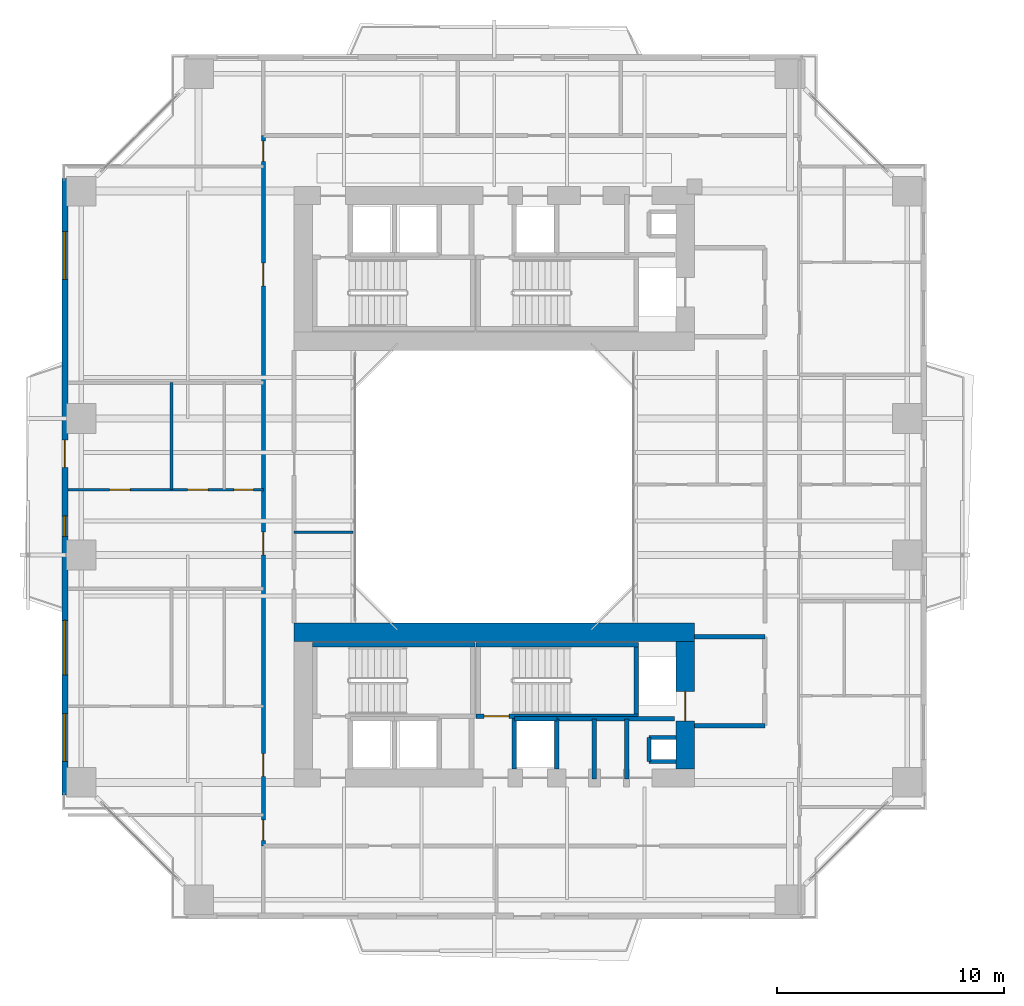
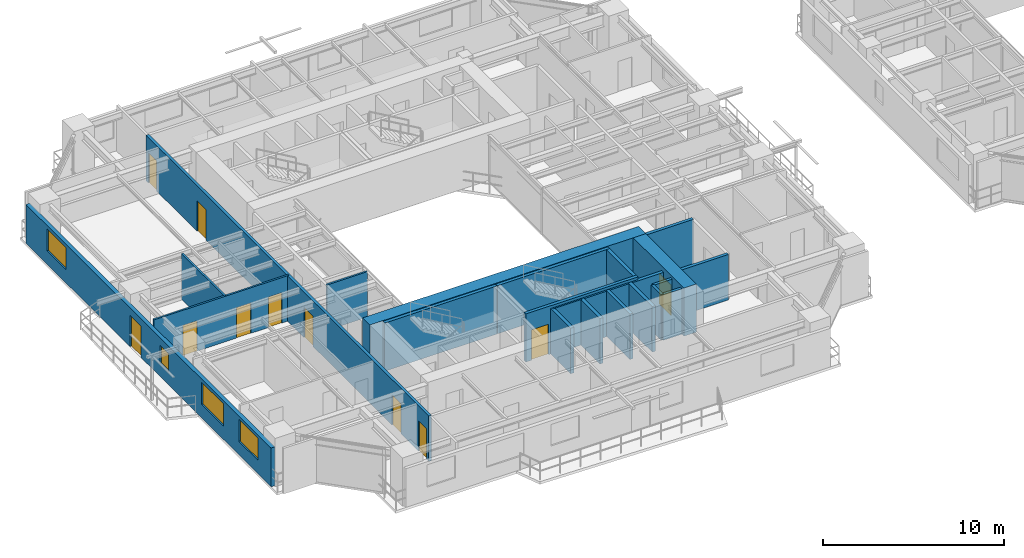
# One storey, part 13 of 24: 22 walls, 11 doors, 4 windows, 15 openings.
"""IFC4 building model written with IfcOpenShell, lengths in metres."""

from ifc_helpers import new_model, si_unit, direction, frame, frame_2d, origin, place, context, subcontext, project, spatial, rectangle, extrude, source, transform, mapped, material, layer, layer_set, type_object, element, fill, save


model = new_model("IFC4")

# Units and contexts
model_context = context("Model", 3, precision=1e-05, world=origin(), true_north=direction((0.0, 1.0)))
body_context = subcontext(model_context, "Body", "Model", "MODEL_VIEW")
ifc_project = project(units=[si_unit("LENGTHUNIT", "METRE"), si_unit("AREAUNIT", "SQUARE_METRE"), si_unit("VOLUMEUNIT", "CUBIC_METRE"), si_unit("PLANEANGLEUNIT", "RADIAN"), si_unit("MASSUNIT", "GRAM", prefix="KILO"), si_unit("THERMODYNAMICTEMPERATUREUNIT", "KELVIN"), si_unit("POWERUNIT", "WATT")], contexts=[model_context])

# Site, building, storey
site_placement = place(None, origin())
site = spatial("IfcSite", under=ifc_project, at=site_placement, CompositionType="ELEMENT")
building_placement = place(site_placement, origin())
building = spatial("IfcBuilding", under=site, at=building_placement, Name="Qiaomeng Ring Towers", CompositionType="ELEMENT")
storey_placement = place(building_placement, frame((0.0, 0.0, 36.0)))
storey = spatial("IfcBuildingStorey", under=building, at=storey_placement, Name="L09", CompositionType="ELEMENT", Elevation=36.0)

# Wall, openings, windows, door
ifc_material_1 = material(Name="Precast concrete C40", Category="concrete")
ifc_layer_1 = layer(ifc_material_1, 0.25, Name="Precast concrete C40")
ifc_layer_set_1 = layer_set([ifc_layer_1], Name="Precast concrete C40")
wall_type_1 = type_object("IfcWallType", Name="ARC-WL-EW1", PredefinedType="STANDARD", material=ifc_layer_set_1)
wall_1_placement = place(storey_placement, frame((0.125, 9.449951171875, 0.0), z_axis=(0.0, 0.0, 1.0), x_axis=(0.0, 1.0, 0.0)))
wall_1 = element("IfcWall", 1, at=wall_1_placement, inside=storey, type_object=wall_type_1, Name="L09 Tower 1 W Exterior Wall", PredefinedType="STANDARD", context=body_context, shape_type="SweptSolid", body=[
    extrude(rectangle(XDim=27.10009765625, YDim=0.25, at=frame_2d((13.550048828125, 0.0))), origin(), (0.0, 0.0, 1.0), 2.610107421875),
])
opening_1_placement = place(wall_1_placement, frame((14.39990234375, 0.0, 0.0)))
opening_1 = element("IfcOpeningElement", 2, at=opening_1_placement, cuts=wall_1, Name="Opening BD1", PredefinedType="OPENING", context=body_context, shape_type="SweptSolid", body=[
    extrude(rectangle(XDim=1.199951171875, YDim=2.10009765625, at=frame_2d((0.60009765625, 1.050048828125))), frame((0.0, 0.135009765625, 0.0), z_axis=(0.0, -1.0, 0.0), x_axis=(1.0, 0.0, 0.0)), (0.0, 0.0, 1.0), 0.27001953125),
])
opening_2_placement = place(wall_1_placement, frame((1.472412109375, 0.0, 0.89990234375)))
opening_2 = element("IfcOpeningElement", 3, at=opening_2_placement, cuts=wall_1, Name="Opening WN4", PredefinedType="OPENING", context=body_context, shape_type="SweptSolid", body=[
    extrude(rectangle(XDim=2.10009765625, YDim=1.5, at=frame_2d((1.050048828125, 0.75))), frame((0.0, 0.135009765625, 0.0), z_axis=(0.0, -1.0, 0.0), x_axis=(1.0, 0.0, 0.0)), (0.0, 0.0, 1.0), 0.27001953125),
])
opening_3_placement = place(wall_1_placement, frame((22.6630859375, 0.0, 0.89990234375)))
opening_3 = element("IfcOpeningElement", 4, at=opening_3_placement, cuts=wall_1, Name="Opening WN4", PredefinedType="OPENING", context=body_context, shape_type="SweptSolid", body=[
    extrude(rectangle(XDim=2.10009765625, YDim=1.47998046875, at=frame_2d((1.050048828125, 0.739990234375))), frame((0.0, 0.135009765625, 0.0), z_axis=(0.0, -1.0, 0.0), x_axis=(1.0, 0.0, 0.0)), (0.0, 0.0, 1.0), 0.27001953125),
])
opening_4_placement = place(wall_1_placement, frame((5.277587890625, 0.0, 0.89990234375)))
opening_4 = element("IfcOpeningElement", 5, at=opening_4_placement, cuts=wall_1, Name="Opening WN6", PredefinedType="OPENING", context=body_context, shape_type="SweptSolid", body=[
    extrude(rectangle(XDim=2.39990234375, YDim=1.5, at=frame_2d((1.199951171875, 0.75))), frame((0.0, 0.135009765625, 0.0), z_axis=(0.0, -1.0, 0.0), x_axis=(1.0, 0.0, 0.0)), (0.0, 0.0, 1.0), 0.27001953125),
])
opening_5_placement = place(wall_1_placement, frame((11.364990234375, 0.0, 0.89990234375)))
opening_5 = element("IfcOpeningElement", 6, at=opening_5_placement, cuts=wall_1, Name="Opening WN5", PredefinedType="OPENING", context=body_context, shape_type="SweptSolid", body=[
    extrude(rectangle(XDim=0.89990234375, YDim=1.199951171875, at=frame_2d((0.449951171875, 0.60009765625))), frame((0.0, 0.135009765625, 0.0), z_axis=(0.0, -1.0, 0.0), x_axis=(1.0, 0.0, 0.0)), (0.0, 0.0, 1.0), 0.27001953125),
])
ifc_material_2 = material(Name="Low-E dark-grey laminated double glazing", Category="glass")
window_type_1 = type_object("IfcWindowType", Name="ARC-WN-4", PartitioningType="TRIPLE_PANEL_VERTICAL", PredefinedType="WINDOW", material=ifc_material_2)
shared_shape_1 = source(origin(), body_context, "Body", "SweptSolid", [
    extrude(rectangle(XDim=2.10009765625, YDim=1.47998046875, at=frame_2d((1.050048828125, 0.739990234375))), frame((0.0, 0.030029296875, 0.0), z_axis=(0.0, -1.0, 0.0), x_axis=(1.0, 0.0, 0.0)), (0.0, 0.0, 1.0), 0.06005859375),
])
window_1_placement = place(opening_3_placement, origin())
window_1 = element("IfcWindow", 7, at=window_1_placement, inside=storey, type_object=window_type_1, Name="L09 Exterior Window WN4", OverallHeight=1.47998046875, OverallWidth=2.10009765625, PartitioningType="TRIPLE_PANEL_VERTICAL", PredefinedType="WINDOW", context=body_context, shape_type="MappedRepresentation", body=[
    mapped(shared_shape_1, transform((0.0, 0.0, 0.0), x_axis=(1.0, 0.0, 0.0), y_axis=(0.0, 1.0, 0.0), z_axis=(0.0, 0.0, 1.0), scale=1.0)),
])
fill(opening_3, window_1)
shared_shape_2 = source(origin(), body_context, "Body", "SweptSolid", [
    extrude(rectangle(XDim=2.10009765625, YDim=1.5, at=frame_2d((1.050048828125, 0.75))), frame((0.0, 0.030029296875, 0.0), z_axis=(0.0, -1.0, 0.0), x_axis=(1.0, 0.0, 0.0)), (0.0, 0.0, 1.0), 0.06005859375),
])
window_2_placement = place(opening_2_placement, origin())
window_2 = element("IfcWindow", 8, at=window_2_placement, inside=storey, type_object=window_type_1, Name="L09 Exterior Window WN6", OverallHeight=1.5, OverallWidth=2.10009765625, PartitioningType="TRIPLE_PANEL_VERTICAL", PredefinedType="WINDOW", context=body_context, shape_type="MappedRepresentation", body=[
    mapped(shared_shape_2, transform((0.0, 0.0, 0.0), x_axis=(1.0, 0.0, 0.0), y_axis=(0.0, 1.0, 0.0), z_axis=(0.0, 0.0, 1.0), scale=1.0)),
])
fill(opening_2, window_2)
door_type_1 = type_object("IfcDoorType", Name="ARC-DR-BD1", OperationType="NOTDEFINED", PredefinedType="DOOR", material=ifc_material_2)
shared_shape_3 = source(origin(), body_context, "Body", "SweptSolid", [
    extrude(rectangle(XDim=1.199951171875, YDim=2.10009765625, at=frame_2d((0.60009765625, 1.050048828125))), frame((0.0, 0.02490234375, 0.0), z_axis=(0.0, -1.0, 0.0), x_axis=(1.0, 0.0, 0.0)), (0.0, 0.0, 1.0), 0.050048828125),
])
door_1_placement = place(opening_1_placement, frame((1.199951171875, 0.0, 0.0), z_axis=(0.0, 0.0, 1.0), x_axis=(-1.0, 0.0, 0.0)))
door_1 = element("IfcDoor", 9, at=door_1_placement, inside=storey, type_object=door_type_1, Name="L09 W Balcony Glazed Door", OperationType="SINGLE_SWING_LEFT", OverallHeight=2.10009765625, OverallWidth=1.199951171875, PredefinedType="DOOR", context=body_context, shape_type="MappedRepresentation", body=[
    mapped(shared_shape_3, transform((0.0, 0.0, 0.0), x_axis=(1.0, 0.0, 0.0), y_axis=(0.0, 1.0, 0.0), z_axis=(0.0, 0.0, 1.0), scale=1.0)),
])
fill(opening_1, door_1)
window_type_2 = type_object("IfcWindowType", Name="ARC-WN-6", PartitioningType="TRIPLE_PANEL_VERTICAL", PredefinedType="WINDOW", material=ifc_material_2)
shared_shape_4 = source(origin(), body_context, "Body", "SweptSolid", [
    extrude(rectangle(XDim=2.39990234375, YDim=1.5, at=frame_2d((1.199951171875, 0.75))), frame((0.0, 0.030029296875, 0.0), z_axis=(0.0, -1.0, 0.0), x_axis=(1.0, 0.0, 0.0)), (0.0, 0.0, 1.0), 0.06005859375),
])
window_3_placement = place(opening_4_placement, origin())
window_3 = element("IfcWindow", 10, at=window_3_placement, inside=storey, type_object=window_type_2, Name="L09 Exterior Window WN6", OverallHeight=1.5, OverallWidth=2.39990234375, PartitioningType="TRIPLE_PANEL_VERTICAL", PredefinedType="WINDOW", context=body_context, shape_type="MappedRepresentation", body=[
    mapped(shared_shape_4, transform((0.0, 0.0, 0.0), x_axis=(1.0, 0.0, 0.0), y_axis=(0.0, 1.0, 0.0), z_axis=(0.0, 0.0, 1.0), scale=1.0)),
])
fill(opening_4, window_3)
window_type_3 = type_object("IfcWindowType", Name="ARC-WN-5", PartitioningType="SINGLE_PANEL", PredefinedType="WINDOW", material=ifc_material_2)
shared_shape_5 = source(origin(), body_context, "Body", "SweptSolid", [
    extrude(rectangle(XDim=0.89990234375, YDim=1.199951171875, at=frame_2d((0.449951171875, 0.60009765625))), frame((0.0, 0.030029296875, 0.0), z_axis=(0.0, -1.0, 0.0), x_axis=(1.0, 0.0, 0.0)), (0.0, 0.0, 1.0), 0.06005859375),
])
window_4_placement = place(opening_5_placement, origin())
window_4 = element("IfcWindow", 11, at=window_4_placement, inside=storey, type_object=window_type_3, Name="L09 Exterior Window WN5", OverallHeight=1.199951171875, OverallWidth=0.89990234375, PartitioningType="SINGLE_PANEL", PredefinedType="WINDOW", context=body_context, shape_type="MappedRepresentation", body=[
    mapped(shared_shape_5, transform((0.0, 0.0, 0.0), x_axis=(1.0, 0.0, 0.0), y_axis=(0.0, 1.0, 0.0), z_axis=(0.0, 0.0, 1.0), scale=1.0)),
])
fill(opening_5, window_4)

# Walls
ifc_material_3 = material(Name="Autoclaved aerated concrete block", Category="concrete")
ifc_layer_2 = layer(ifc_material_3, 0.199951171875, Name="Autoclaved aerated concrete block")
ifc_layer_set_2 = layer_set([ifc_layer_2], Name="Autoclaved aerated concrete block")
wall_type_2 = type_object("IfcWallType", Name="ARC-WL-PW1", PredefinedType="PARTITIONING", material=ifc_layer_set_2)
for number, where, z_axis, x_axis, name in (
    (12, (27.800048828125, 16.39990234375, 0.0), (0.0, 0.0, 1.0), (1.0, 0.0, 0.0), "L09 Interior Wall PW1"),
    (13, (27.800048828125, 12.5, 0.0), (0.0, 0.0, 1.0), (1.0, 0.0, 0.0), "L09 Interior Wall PW1"),
):
    element("IfcWall", number, at=place(storey_placement, frame(where, z_axis=z_axis, x_axis=x_axis)), inside=storey, type_object=wall_type_2, Name=name, PredefinedType="PARTITIONING", context=body_context, shape_type="SweptSolid", body=[
        extrude(rectangle(XDim=3.099853515625, YDim=0.199951171875, at=frame_2d((1.5498046875, 0.0))), origin(), (0.0, 0.0, 1.0), 3.070068359375),
    ])
wall_2_placement = place(storey_placement, frame((19.8798828125, 10.60009765625, 0.0), z_axis=(0.0, 0.0, 1.0), x_axis=(0.0, 1.0, 0.0)))
element("IfcWall", 14, at=wall_2_placement, inside=storey, type_object=wall_type_2, Name="L09 Interior Wall PW1", PredefinedType="PARTITIONING", context=body_context, shape_type="SweptSolid", body=[
    extrude(rectangle(XDim=2.2099609375, YDim=0.199951171875, at=frame_2d((1.10498046875, 0.0))), origin(), (0.0, 0.0, 1.0), 3.070068359375),
])
wall_3_placement = place(storey_placement, frame((24.820068359375, 10.14990234375, 0.0), z_axis=(0.0, 0.0, 1.0), x_axis=(0.0, 1.0, 0.0)))
element("IfcWall", 15, at=wall_3_placement, inside=storey, type_object=wall_type_2, Name="L09 Interior Wall PW1", PredefinedType="PARTITIONING", context=body_context, shape_type="SweptSolid", body=[
    extrude(rectangle(XDim=2.650146484375, YDim=0.199951171875, at=frame_2d((1.3251953125, 0.0))), origin(), (0.0, 0.0, 1.0), 3.070068359375),
])
wall_4_placement = place(storey_placement, frame((21.75, 10.60009765625, 0.0), z_axis=(0.0, 0.0, 1.0), x_axis=(0.0, 1.0, 0.0)))
element("IfcWall", 16, at=wall_4_placement, inside=storey, type_object=wall_type_2, Name="L09 Interior Wall PW1", PredefinedType="PARTITIONING", context=body_context, shape_type="SweptSolid", body=[
    extrude(rectangle(XDim=2.199951171875, YDim=0.199951171875, at=frame_2d((1.10009765625, 0.0))), origin(), (0.0, 0.0, 1.0), 3.070068359375),
])
wall_5_placement = place(storey_placement, frame((23.389892578125, 10.14990234375, 0.0), z_axis=(0.0, 0.0, 1.0), x_axis=(0.0, 1.0, 0.0)))
element("IfcWall", 17, at=wall_5_placement, inside=storey, type_object=wall_type_2, Name="L09 Interior Wall PW1", PredefinedType="PARTITIONING", context=body_context, shape_type="SweptSolid", body=[
    extrude(rectangle(XDim=2.650146484375, YDim=0.199951171875, at=frame_2d((1.3251953125, 0.0))), origin(), (0.0, 0.0, 1.0), 3.070068359375),
])
wall_6_placement = place(storey_placement, frame((21.75, 12.800048828125, 0.0), z_axis=(0.0, 0.0, 1.0), x_axis=(1.0, 0.0, 0.0)))
element("IfcWall", 18, at=wall_6_placement, inside=storey, type_object=wall_type_2, Name="L09 Interior Wall PW1", PredefinedType="PARTITIONING", context=body_context, shape_type="SweptSolid", body=[
    extrude(rectangle(XDim=5.169921875, YDim=0.199951171875, at=frame_2d((2.5849609375, 0.0))), origin(), (0.0, 0.0, 1.0), 3.070068359375),
])

# Wall, openings, doors
ifc_layer_3 = layer(ifc_material_3, 0.179931640625, Name="Autoclaved aerated concrete block")
ifc_layer_set_3 = layer_set([ifc_layer_3], Name="Autoclaved aerated concrete block")
wall_type_3 = type_object("IfcWallType", Name="ARC-WL-PW2", PredefinedType="PARTITIONING", material=ifc_layer_set_3)
wall_7_placement = place(storey_placement, frame((8.85009765625, 7.2099609375, 0.0), z_axis=(0.0, 0.0, 1.0), x_axis=(0.0, 1.0, 0.0)))
wall_7 = element("IfcWall", 19, at=wall_7_placement, inside=storey, type_object=wall_type_3, Name="L09 Interior Wall PW2", PredefinedType="PARTITIONING", context=body_context, shape_type="SweptSolid", body=[
    extrude(rectangle(XDim=31.22998046875, YDim=0.179931640625, at=frame_2d((15.614990234375, 0.0))), origin(), (0.0, 0.0, 1.0), 3.070068359375),
])
opening_6_placement = place(wall_7_placement, frame((30.090087890625, 0.0, 0.0)))
opening_6 = element("IfcOpeningElement", 20, at=opening_6_placement, cuts=wall_7, Name="Opening ID1", PredefinedType="OPENING", context=body_context, shape_type="SweptSolid", body=[
    extrude(rectangle(XDim=0.89990234375, YDim=2.050048828125, at=frame_2d((0.449951171875, 1.02490234375))), frame((0.0, 0.099853515625, 0.0), z_axis=(0.0, -1.0, 0.0), x_axis=(1.0, 0.0, 0.0)), (0.0, 0.0, 1.0), 0.199951171875),
])
opening_7_placement = place(wall_7_placement, frame((0.239990234375, 0.0, 0.0)))
opening_7 = element("IfcOpeningElement", 21, at=opening_7_placement, cuts=wall_7, Name="Opening ID1", PredefinedType="OPENING", context=body_context, shape_type="SweptSolid", body=[
    extrude(rectangle(XDim=0.89990234375, YDim=2.050048828125, at=frame_2d((0.449951171875, 1.02490234375))), frame((0.0, 0.099853515625, 0.0), z_axis=(0.0, -1.0, 0.0), x_axis=(1.0, 0.0, 0.0)), (0.0, 0.0, 1.0), 0.199951171875),
])
opening_8_placement = place(wall_7_placement, frame((3.06005859375, 0.0, 0.0)))
opening_8 = element("IfcOpeningElement", 22, at=opening_8_placement, cuts=wall_7, Name="Opening FD4", PredefinedType="OPENING", context=body_context, shape_type="SweptSolid", body=[
    extrude(rectangle(XDim=1.0, YDim=2.050048828125, at=frame_2d((0.5, 1.02490234375))), frame((0.0, 0.099853515625, 0.0), z_axis=(0.0, -1.0, 0.0), x_axis=(1.0, 0.0, 0.0)), (0.0, 0.0, 1.0), 0.199951171875),
])
opening_9_placement = place(wall_7_placement, frame((12.794921875, 0.0, 0.0)))
opening_9 = element("IfcOpeningElement", 23, at=opening_9_placement, cuts=wall_7, Name="Opening FD4", PredefinedType="OPENING", context=body_context, shape_type="SweptSolid", body=[
    extrude(rectangle(XDim=1.0, YDim=2.050048828125, at=frame_2d((0.5, 1.02490234375))), frame((0.0, 0.099853515625, 0.0), z_axis=(0.0, -1.0, 0.0), x_axis=(1.0, 0.0, 0.0)), (0.0, 0.0, 1.0), 0.199951171875),
])
opening_10_placement = place(wall_7_placement, frame((24.6201171875, 0.0, 0.0)))
opening_10 = element("IfcOpeningElement", 24, at=opening_10_placement, cuts=wall_7, Name="Opening FD4", PredefinedType="OPENING", context=body_context, shape_type="SweptSolid", body=[
    extrude(rectangle(XDim=1.0, YDim=2.050048828125, at=frame_2d((0.5, 1.02490234375))), frame((0.0, 0.099853515625, 0.0), z_axis=(0.0, -1.0, 0.0), x_axis=(1.0, 0.0, 0.0)), (0.0, 0.0, 1.0), 0.199951171875),
])
ifc_material_4 = material(Name="Engineered fire-rated oak timber", Category="wood")
door_type_2 = type_object("IfcDoorType", Name="ARC-DR-FD4", OperationType="NOTDEFINED", PredefinedType="DOOR", material=ifc_material_4)
shared_shape_6 = source(origin(), body_context, "Body", "SweptSolid", [
    extrude(rectangle(XDim=1.0, YDim=2.050048828125, at=frame_2d((0.5, 1.02490234375))), frame((0.0, 0.02490234375, 0.0), z_axis=(0.0, -1.0, 0.0), x_axis=(1.0, 0.0, 0.0)), (0.0, 0.0, 1.0), 0.050048828125),
])
door_2_placement = place(opening_8_placement, origin())
door_2 = element("IfcDoor", 25, at=door_2_placement, inside=storey, type_object=door_type_2, Name="L09 Door FD4", OperationType="SINGLE_SWING_LEFT", OverallHeight=2.050048828125, OverallWidth=1.0, PredefinedType="DOOR", context=body_context, shape_type="MappedRepresentation", body=[
    mapped(shared_shape_6, transform((0.0, 0.0, 0.0), x_axis=(1.0, 0.0, 0.0), y_axis=(0.0, 1.0, 0.0), z_axis=(0.0, 0.0, 1.0), scale=1.0)),
])
fill(opening_8, door_2)
door_3_placement = place(opening_9_placement, origin())
door_3 = element("IfcDoor", 26, at=door_3_placement, inside=storey, type_object=door_type_2, Name="L09 Door FD4", OperationType="SINGLE_SWING_LEFT", OverallHeight=2.050048828125, OverallWidth=1.0, PredefinedType="DOOR", context=body_context, shape_type="MappedRepresentation", body=[
    mapped(shared_shape_6, transform((0.0, 0.0, 0.0), x_axis=(1.0, 0.0, 0.0), y_axis=(0.0, 1.0, 0.0), z_axis=(0.0, 0.0, 1.0), scale=1.0)),
])
fill(opening_9, door_3)
door_4_placement = place(opening_10_placement, origin())
door_4 = element("IfcDoor", 27, at=door_4_placement, inside=storey, type_object=door_type_2, Name="L09 Door FD4", OperationType="SINGLE_SWING_RIGHT", OverallHeight=2.050048828125, OverallWidth=1.0, PredefinedType="DOOR", context=body_context, shape_type="MappedRepresentation", body=[
    mapped(shared_shape_6, transform((0.0, 0.0, 0.0), x_axis=(1.0, 0.0, 0.0), y_axis=(0.0, 1.0, 0.0), z_axis=(0.0, 0.0, 1.0), scale=1.0)),
])
fill(opening_10, door_4)
ifc_material_5 = material(Name="Engineered oak timber", Category="wood")
door_type_3 = type_object("IfcDoorType", Name="ARC-DR-ID1", OperationType="NOTDEFINED", PredefinedType="DOOR", material=ifc_material_5)
shared_shape_7 = source(origin(), body_context, "Body", "SweptSolid", [
    extrude(rectangle(XDim=0.89990234375, YDim=2.050048828125, at=frame_2d((0.449951171875, 1.02490234375))), frame((0.0, 0.02490234375, 0.0), z_axis=(0.0, -1.0, 0.0), x_axis=(1.0, 0.0, 0.0)), (0.0, 0.0, 1.0), 0.050048828125),
])
door_5_placement = place(opening_6_placement, origin())
door_5 = element("IfcDoor", 28, at=door_5_placement, inside=storey, type_object=door_type_3, Name="L09 Door ID1", OperationType="SINGLE_SWING_RIGHT", OverallHeight=2.050048828125, OverallWidth=0.89990234375, PredefinedType="DOOR", context=body_context, shape_type="MappedRepresentation", body=[
    mapped(shared_shape_7, transform((0.0, 0.0, 0.0), x_axis=(1.0, 0.0, 0.0), y_axis=(0.0, 1.0, 0.0), z_axis=(0.0, 0.0, 1.0), scale=1.0)),
])
fill(opening_6, door_5)
door_6_placement = place(opening_7_placement, origin())
door_6 = element("IfcDoor", 29, at=door_6_placement, inside=storey, type_object=door_type_3, Name="L09 Door ID1", OperationType="SINGLE_SWING_LEFT", OverallHeight=2.050048828125, OverallWidth=0.89990234375, PredefinedType="DOOR", context=body_context, shape_type="MappedRepresentation", body=[
    mapped(shared_shape_7, transform((0.0, 0.0, 0.0), x_axis=(1.0, 0.0, 0.0), y_axis=(0.0, 1.0, 0.0), z_axis=(0.0, 0.0, 1.0), scale=1.0)),
])
fill(opening_7, door_6)

ifc_material_6 = material(Name="Moisture-resistant gypsum steel-stud partition", Category="steel")
ifc_layer_4 = layer(ifc_material_6, 0.1201171875, Name="Moisture-resistant gypsum steel-stud partition")
ifc_layer_set_4 = layer_set([ifc_layer_4], Name="Moisture-resistant gypsum steel-stud partition")
wall_type_4 = type_object("IfcWallType", Name="ARC-WL-PW4", PredefinedType="PLUMBINGWALL", material=ifc_layer_set_4)
wall_8_placement = place(storey_placement, frame((0.25, 22.8701171875, 0.0), z_axis=(0.0, 0.0, 1.0), x_axis=(1.0, 0.0, 0.0)))
wall_8 = element("IfcWall", 30, at=wall_8_placement, inside=storey, type_object=wall_type_4, Name="L09 Interior Wall PW4", PredefinedType="PLUMBINGWALL", context=body_context, shape_type="SweptSolid", body=[
    extrude(rectangle(XDim=8.60009765625, YDim=0.1201171875, at=frame_2d((4.300048828125, 0.0))), origin(), (0.0, 0.0, 1.0), 3.070068359375),
])
opening_11_placement = place(wall_8_placement, frame((1.840087890625, 0.0, 0.0)))
opening_11 = element("IfcOpeningElement", 31, at=opening_11_placement, cuts=wall_8, Name="Opening ID1", PredefinedType="OPENING", context=body_context, shape_type="SweptSolid", body=[
    extrude(rectangle(XDim=0.89990234375, YDim=2.050048828125, at=frame_2d((0.449951171875, 1.02490234375))), frame((0.0, 0.070068359375, 0.0), z_axis=(0.0, -1.0, 0.0), x_axis=(1.0, 0.0, 0.0)), (0.0, 0.0, 1.0), 0.14013671875),
])
opening_12_placement = place(wall_8_placement, frame((5.27001953125, 0.0, 0.0)))
opening_12 = element("IfcOpeningElement", 32, at=opening_12_placement, cuts=wall_8, Name="Opening ID1", PredefinedType="OPENING", context=body_context, shape_type="SweptSolid", body=[
    extrude(rectangle(XDim=0.89990234375, YDim=2.050048828125, at=frame_2d((0.449951171875, 1.02490234375))), frame((0.0, 0.070068359375, 0.0), z_axis=(0.0, -1.0, 0.0), x_axis=(1.0, 0.0, 0.0)), (0.0, 0.0, 1.0), 0.14013671875),
])
opening_13_placement = place(wall_8_placement, frame((7.304931640625, 0.0, 0.0)))
opening_13 = element("IfcOpeningElement", 33, at=opening_13_placement, cuts=wall_8, Name="Opening ID2", PredefinedType="OPENING", context=body_context, shape_type="SweptSolid", body=[
    extrude(rectangle(XDim=0.85009765625, YDim=2.050048828125, at=frame_2d((0.425048828125, 1.02490234375))), frame((0.0, 0.070068359375, 0.0), z_axis=(0.0, -1.0, 0.0), x_axis=(1.0, 0.0, 0.0)), (0.0, 0.0, 1.0), 0.14013671875),
])
ifc_material_7 = material(Name="Moisture-resistant engineered timber", Category="wood")
door_type_4 = type_object("IfcDoorType", Name="ARC-DR-ID2", OperationType="NOTDEFINED", PredefinedType="DOOR", material=ifc_material_7)
shared_shape_8 = source(origin(), body_context, "Body", "SweptSolid", [
    extrude(rectangle(XDim=0.85009765625, YDim=2.050048828125, at=frame_2d((0.425048828125, 1.02490234375))), frame((0.0, 0.02490234375, 0.0), z_axis=(0.0, -1.0, 0.0), x_axis=(1.0, 0.0, 0.0)), (0.0, 0.0, 1.0), 0.050048828125),
])
door_7_placement = place(opening_13_placement, origin())
door_7 = element("IfcDoor", 34, at=door_7_placement, inside=storey, type_object=door_type_4, Name="L09 Door ID2", OperationType="SINGLE_SWING_RIGHT", OverallHeight=2.050048828125, OverallWidth=0.85009765625, PredefinedType="DOOR", context=body_context, shape_type="MappedRepresentation", body=[
    mapped(shared_shape_8, transform((0.0, 0.0, 0.0), x_axis=(1.0, 0.0, 0.0), y_axis=(0.0, 1.0, 0.0), z_axis=(0.0, 0.0, 1.0), scale=1.0)),
])
fill(opening_13, door_7)
door_8_placement = place(opening_11_placement, origin())
door_8 = element("IfcDoor", 35, at=door_8_placement, inside=storey, type_object=door_type_3, Name="L09 Door ID1", OperationType="SINGLE_SWING_RIGHT", OverallHeight=2.050048828125, OverallWidth=0.89990234375, PredefinedType="DOOR", context=body_context, shape_type="MappedRepresentation", body=[
    mapped(shared_shape_7, transform((0.0, 0.0, 0.0), x_axis=(1.0, 0.0, 0.0), y_axis=(0.0, 1.0, 0.0), z_axis=(0.0, 0.0, 1.0), scale=1.0)),
])
fill(opening_11, door_8)
door_9_placement = place(opening_12_placement, origin())
door_9 = element("IfcDoor", 36, at=door_9_placement, inside=storey, type_object=door_type_3, Name="L09 Door ID1", OperationType="SINGLE_SWING_LEFT", OverallHeight=2.050048828125, OverallWidth=0.89990234375, PredefinedType="DOOR", context=body_context, shape_type="MappedRepresentation", body=[
    mapped(shared_shape_7, transform((0.0, 0.0, 0.0), x_axis=(1.0, 0.0, 0.0), y_axis=(0.0, 1.0, 0.0), z_axis=(0.0, 0.0, 1.0), scale=1.0)),
])
fill(opening_12, door_9)

# Walls
wall_9_placement = place(storey_placement, frame((4.81005859375, 22.8701171875, 0.0), z_axis=(0.0, 0.0, 1.0), x_axis=(0.0, 1.0, 0.0)))
element("IfcWall", 37, at=wall_9_placement, inside=storey, type_object=wall_type_4, Name="L09 Interior Wall PW4", PredefinedType="PLUMBINGWALL", context=body_context, shape_type="SweptSolid", body=[
    extrude(rectangle(XDim=4.7099609375, YDim=0.1201171875, at=frame_2d((2.35498046875, 0.0))), origin(), (0.0, 0.0, 1.0), 3.070068359375),
])
wall_10_placement = place(storey_placement, frame((10.199951171875, 21.0, 0.0), z_axis=(0.0, 0.0, 1.0), x_axis=(1.0, 0.0, 0.0)))
element("IfcWall", 38, at=wall_10_placement, inside=storey, type_object=wall_type_4, Name="L09 Interior Wall PW4", PredefinedType="PLUMBINGWALL", context=body_context, shape_type="SweptSolid", body=[
    extrude(rectangle(XDim=2.580078125, YDim=0.1201171875, at=frame_2d((1.2900390625, 0.0))), origin(), (0.0, 0.0, 1.0), 3.070068359375),
])
ifc_material_8 = material(Name="Concrete C40", Category="concrete")
ifc_layer_5 = layer(ifc_material_8, 0.199951171875, Name="Concrete C40")
ifc_layer_set_5 = layer_set([ifc_layer_5], Name="Concrete C40")
wall_type_5 = type_object("IfcWallType", Name="STR-WL-STSHAFT", PredefinedType="SHEAR", material=ifc_layer_set_5)
wall_11_placement = place(storey_placement, frame((25.800048828125, 10.919921875, 0.0), z_axis=(0.0, 0.0, 1.0), x_axis=(0.0, 1.0, 0.0)))
element("IfcWall", 39, at=wall_11_placement, inside=storey, type_object=wall_type_5, Name="L09 Riser RSR1 West Shaft Wall S", PredefinedType="SHEAR", context=body_context, shape_type="SweptSolid", body=[
    extrude(rectangle(XDim=1.06005859375, YDim=0.179931640625, at=frame_2d((0.530029296875, 0.0))), origin(), (0.0, 0.0, 1.0), 3.070068359375),
])
for number, where, z_axis, x_axis, name in (
    (40, (25.800048828125, 11.97998046875, 0.0), (0.0, 0.0, 1.0), (1.0, 0.0, 0.0), "L09 Riser RSR1 North Shaft Wall S"),
    (41, (25.800048828125, 10.919921875, 0.0), (0.0, 0.0, 1.0), (1.0, 0.0, 0.0), "L09 Riser RSR1 South Shaft Wall S"),
):
    element("IfcWall", number, at=place(storey_placement, frame(where, z_axis=z_axis, x_axis=x_axis)), inside=storey, type_object=wall_type_5, Name=name, PredefinedType="SHEAR", context=body_context, shape_type="SweptSolid", body=[
        extrude(rectangle(XDim=1.199951171875, YDim=0.179931640625, at=frame_2d((0.60009765625, 0.0))), origin(), (0.0, 0.0, 1.0), 3.070068359375),
    ])
wall_12_placement = place(storey_placement, frame((19.8798828125, 12.800048828125, 0.0), z_axis=(0.0, 0.0, 1.0), x_axis=(1.0, 0.0, 0.0)))
element("IfcWall", 42, at=wall_12_placement, inside=storey, type_object=wall_type_5, Name="L09 Lift LP2 Shaft Back Wall", PredefinedType="SHEAR", context=body_context, shape_type="SweptSolid", body=[
    extrude(rectangle(XDim=1.8701171875, YDim=0.179931640625, at=frame_2d((0.93505859375, 0.0))), origin(), (0.0, 0.0, 1.0), 3.070068359375),
])
wall_13_placement = place(storey_placement, frame((11.0, 16.050048828125, 0.0), z_axis=(0.0, 0.0, 1.0), x_axis=(1.0, 0.0, 0.0)))
element("IfcWall", 43, at=wall_13_placement, inside=storey, type_object=wall_type_5, Name="L09 Stair ST3 North Shaft Shear Wall", PredefinedType="SHEAR", context=body_context, shape_type="SweptSolid", body=[
    extrude(rectangle(XDim=7.14990234375, YDim=0.199951171875, at=frame_2d((3.574951171875, 0.0))), origin(), (0.0, 0.0, 1.0), 3.25),
])

# Wall, opening, door
wall_14_placement = place(storey_placement, frame((18.199951171875, 12.909912109375, 0.0), z_axis=(0.0, 0.0, 1.0), x_axis=(1.0, 0.0, 0.0)))
wall_14 = element("IfcWall", 44, at=wall_14_placement, inside=storey, type_object=wall_type_5, Name="L09 Stair ST4 South Shaft Shear Wall", PredefinedType="SHEAR", context=body_context, shape_type="SweptSolid", body=[
    extrude(rectangle(XDim=7.150146484375, YDim=0.199951171875, at=frame_2d((3.5751953125, 0.0))), origin(), (0.0, 0.0, 1.0), 3.25),
])
opening_14_placement = place(wall_14_placement, frame((0.35009765625, 0.0, 0.0)))
opening_14 = element("IfcOpeningElement", 45, at=opening_14_placement, cuts=wall_14, Name="Opening FD3", PredefinedType="OPENING", context=body_context, shape_type="SweptSolid", body=[
    extrude(rectangle(XDim=1.10009765625, YDim=2.050048828125, at=frame_2d((0.550048828125, 1.02490234375))), frame((0.0, 0.10986328125, 0.0), z_axis=(0.0, -1.0, 0.0), x_axis=(1.0, 0.0, 0.0)), (0.0, 0.0, 1.0), 0.219970703125),
])
ifc_material_9 = material(Name="Galvanised steel", Category="steel")
door_type_5 = type_object("IfcDoorType", Name="ARC-DR-FD3", OperationType="NOTDEFINED", PredefinedType="DOOR", material=ifc_material_9)
shared_shape_9 = source(origin(), body_context, "Body", "SweptSolid", [
    extrude(rectangle(XDim=1.10009765625, YDim=2.050048828125, at=frame_2d((0.550048828125, 1.02490234375))), frame((0.0, 0.02490234375, 0.0), z_axis=(0.0, -1.0, 0.0), x_axis=(1.0, 0.0, 0.0)), (0.0, 0.0, 1.0), 0.050048828125),
])
door_10_placement = place(opening_14_placement, frame((1.10009765625, 0.0, 0.0), z_axis=(0.0, 0.0, 1.0), x_axis=(-1.0, 0.0, 0.0)))
door_10 = element("IfcDoor", 46, at=door_10_placement, inside=storey, type_object=door_type_5, Name="L09 Stair ST4 Exit Door", OperationType="SINGLE_SWING_LEFT", OverallHeight=2.050048828125, OverallWidth=1.10009765625, PredefinedType="DOOR", context=body_context, shape_type="MappedRepresentation", body=[
    mapped(shared_shape_9, transform((0.0, 0.0, 0.0), x_axis=(1.0, 0.0, 0.0), y_axis=(0.0, 1.0, 0.0), z_axis=(0.0, 0.0, 1.0), scale=1.0)),
])
fill(opening_14, door_10)

# Walls
wall_15_placement = place(storey_placement, frame((18.199951171875, 16.050048828125, 0.0), z_axis=(0.0, 0.0, 1.0), x_axis=(1.0, 0.0, 0.0)))
element("IfcWall", 47, at=wall_15_placement, inside=storey, type_object=wall_type_5, Name="L09 Stair ST4 North Shaft Shear Wall", PredefinedType="SHEAR", context=body_context, shape_type="SweptSolid", body=[
    extrude(rectangle(XDim=7.150146484375, YDim=0.199951171875, at=frame_2d((3.5751953125, 0.0))), origin(), (0.0, 0.0, 1.0), 3.25),
])
wall_16_placement = place(storey_placement, frame((25.25, 13.010009765625, 0.0), z_axis=(0.0, 0.0, 1.0), x_axis=(0.0, 1.0, 0.0)))
element("IfcWall", 48, at=wall_16_placement, inside=storey, type_object=wall_type_5, Name="L09 Stair ST4 East Shaft Shear Wall", PredefinedType="SHEAR", context=body_context, shape_type="SweptSolid", body=[
    extrude(rectangle(XDim=2.93994140625, YDim=0.199951171875, at=frame_2d((1.469970703125, 0.0))), origin(), (0.0, 0.0, 1.0), 3.25),
])
ifc_material_10 = material(Name="Concrete C60", Category="concrete")
ifc_layer_6 = layer(ifc_material_10, 0.800048828125, Name="Concrete C60")
ifc_layer_set_6 = layer_set([ifc_layer_6], Name="Concrete C60")
wall_type_6 = type_object("IfcWallType", Name="STR-WL-SW1", PredefinedType="SHEAR", material=ifc_layer_set_6)
wall_17_placement = place(storey_placement, frame((10.199951171875, 16.60009765625, 0.0), z_axis=(0.0, 0.0, 1.0), x_axis=(1.0, 0.0, 0.0)))
element("IfcWall", 49, at=wall_17_placement, inside=storey, type_object=wall_type_6, Name="L09 T1SC north core shear wall", PredefinedType="SHEAR", context=body_context, shape_type="SweptSolid", body=[
    extrude(rectangle(XDim=17.60009765625, YDim=0.800048828125, at=frame_2d((8.800048828125, 0.0))), origin(), (0.0, 0.0, 1.0), 3.25),
])

# Wall, opening, door
wall_18_placement = place(storey_placement, frame((27.39990234375, 10.60009765625, 0.0), z_axis=(0.0, 0.0, 1.0), x_axis=(0.0, 1.0, 0.0)))
wall_18 = element("IfcWall", 50, at=wall_18_placement, inside=storey, type_object=wall_type_6, Name="L09 T1SC east core shear wall", PredefinedType="SHEAR", context=body_context, shape_type="SweptSolid", body=[
    extrude(rectangle(XDim=5.599853515625, YDim=0.800048828125, at=frame_2d((2.7998046875, 0.0))), origin(), (0.0, 0.0, 1.0), 3.25),
])
opening_15_placement = place(wall_18_placement, frame((2.10009765625, 0.0, 0.0)))
opening_15 = element("IfcOpeningElement", 51, at=opening_15_placement, cuts=wall_18, Name="Opening LD2", PredefinedType="OPENING", context=body_context, shape_type="SweptSolid", body=[
    extrude(rectangle(XDim=1.300048828125, YDim=2.050048828125, at=frame_2d((0.64990234375, 1.02490234375))), frame((0.0, 0.409912109375, 0.0), z_axis=(0.0, -1.0, 0.0), x_axis=(1.0, 0.0, 0.0)), (0.0, 0.0, 1.0), 0.820068359375),
])
ifc_material_11 = material(Name="Stainless steel 316", Category="steel")
door_type_6 = type_object("IfcDoorType", Name="ARC-DR-LD2", OperationType="NOTDEFINED", PredefinedType="DOOR", material=ifc_material_11)
shared_shape_10 = source(origin(), body_context, "Body", "SweptSolid", [
    extrude(rectangle(XDim=1.300048828125, YDim=2.050048828125, at=frame_2d((0.64990234375, 1.02490234375))), frame((0.0, 0.02490234375, 0.0), z_axis=(0.0, -1.0, 0.0), x_axis=(1.0, 0.0, 0.0)), (0.0, 0.0, 1.0), 0.050048828125),
])
door_11_placement = place(opening_15_placement, origin())
door_11 = element("IfcDoor", 52, at=door_11_placement, inside=storey, type_object=door_type_6, Name="L09 Firefighting Lift FL2 Landing Door", OperationType="SLIDING_TO_RIGHT", OverallHeight=2.050048828125, OverallWidth=1.300048828125, PredefinedType="DOOR", context=body_context, shape_type="MappedRepresentation", body=[
    mapped(shared_shape_10, transform((0.0, 0.0, 0.0), x_axis=(1.0, 0.0, 0.0), y_axis=(0.0, 1.0, 0.0), z_axis=(0.0, 0.0, 1.0), scale=1.0)),
])
fill(opening_15, door_11)

save(model, "model.ifc")
